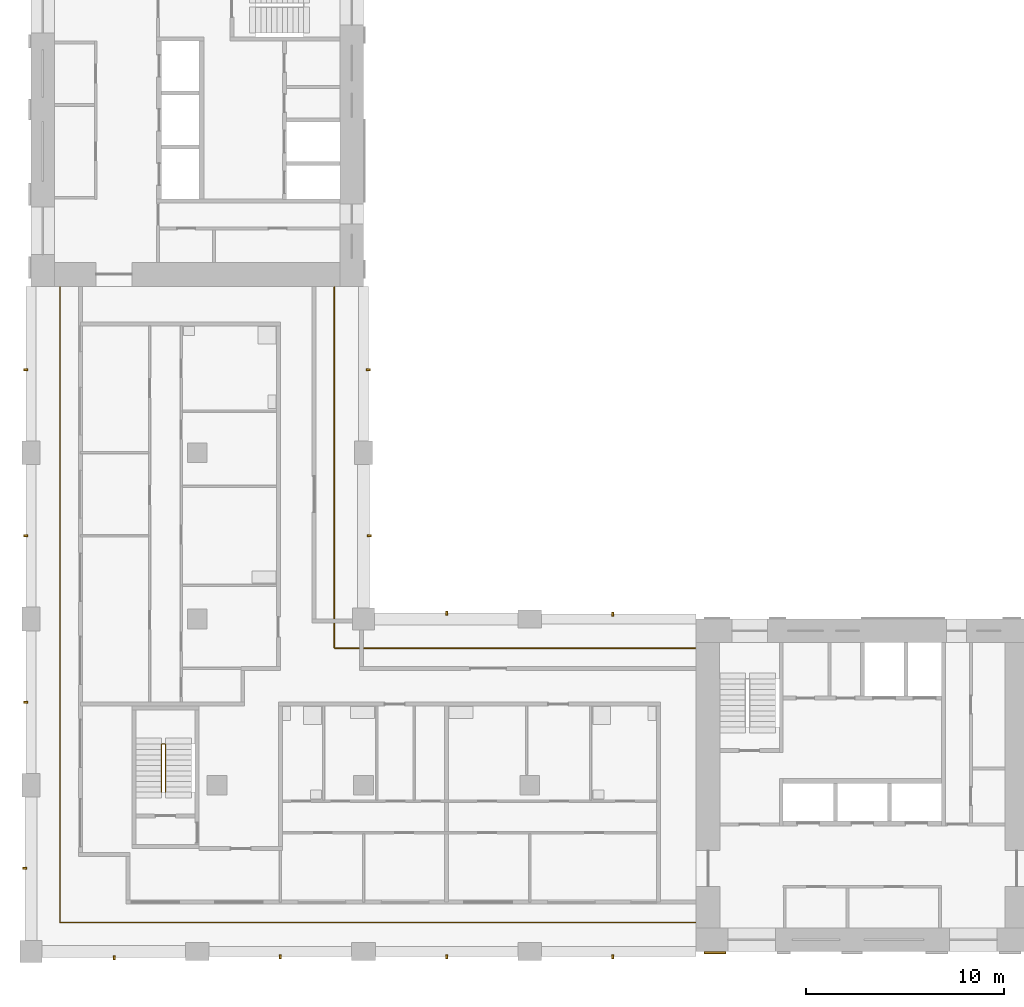
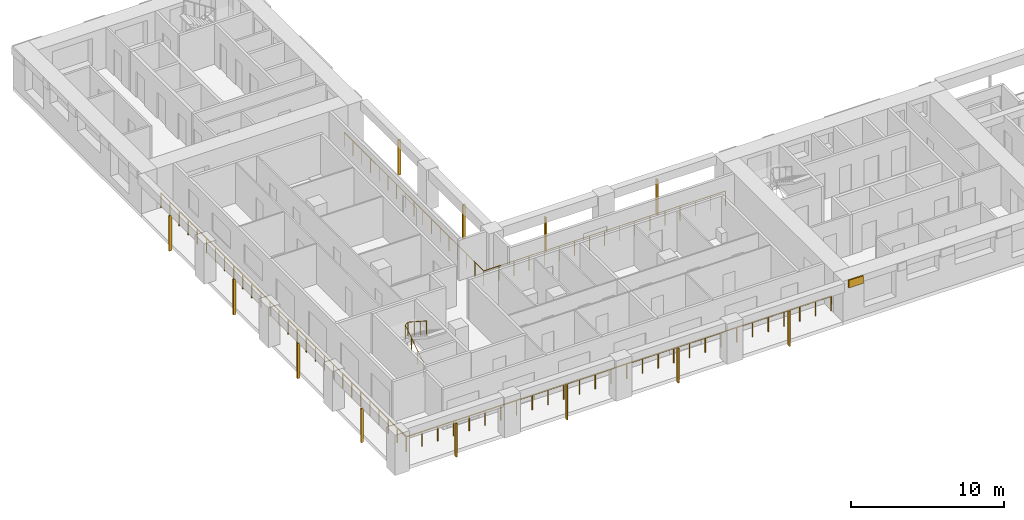
# One storey, part 8 of 11: 13 shading devices, 3 railings.
"""IFC4 building model written with IfcOpenShell, lengths in metres."""

import ifcopenshell
import ifcopenshell.guid

model = None  # the IFC model being written
_history = None  # IfcOwnerHistory: only IFC2X3 demands one
_inside = {}  # id of a spatial element -> (the spatial element, [elements in it])
_under = {}  # id of a project, library or spatial element -> (it, [spatial elements below it])
_declared = {}  # id of a project -> (the project, [libraries it declares])
_typed = {}  # id of a type object -> (the type object, [elements of that type])
_made_of = {}  # id of a material, layer set ... -> (it, [elements and type objects made of it])


def new_model(schema):
    """Start an empty IFC model of exactly this schema.

    Asked for "IFC4X3", IfcOpenShell would pick the latest addendum, in which some entities
    have other attributes; the version numbers below select the first issue.
    IFC2X3 requires an IfcOwnerHistory on every rooted entity: one is made here for all.
    """
    global model, _history
    if schema == "IFC4X3":
        model = ifcopenshell.file(schema_version=(4, 3, 0, 0))
    else:
        model = ifcopenshell.file(schema=schema)
    _inside.clear()
    _under.clear()
    _declared.clear()
    _typed.clear()
    _made_of.clear()
    _history = None
    if model.schema == "IFC2X3":
        org = make("IfcOrganization", Name="unknown")
        user = make(
            "IfcPersonAndOrganization",
            ThePerson=make("IfcPerson", FamilyName="unknown"),
            TheOrganization=org,
        )
        app = make(
            "IfcApplication",
            ApplicationDeveloper=org,
            Version="unknown",
            ApplicationFullName="unknown",
            ApplicationIdentifier="unknown",
        )
        _history = make(
            "IfcOwnerHistory",
            OwningUser=user,
            OwningApplication=app,
            ChangeAction="ADDED",
            CreationDate=0,
        )
    return model


def make(cls, **values):
    """One entity of the class cls with the attributes given. An attribute that is None is left unset."""
    return model.create_entity(
        cls, **{name: value for name, value in values.items() if value is not None}
    )


def rooted(cls, **values):
    """An entity with a GlobalId (a new one), such as an element, a storey or a relation."""
    return make(cls, GlobalId=ifcopenshell.guid.new(), OwnerHistory=_history, **values)


def si_unit(unit_type, name, prefix=None):
    """IfcSIUnit, for example si_unit("LENGTHUNIT", "METRE", prefix="MILLI")."""
    return make("IfcSIUnit", UnitType=unit_type, Prefix=prefix, Name=name)


def assignment(units):
    """IfcUnitAssignment: the units of a project."""
    return None if units is None else make("IfcUnitAssignment", Units=units)


def point(xyz):
    """IfcCartesianPoint."""
    return None if xyz is None else make("IfcCartesianPoint", Coordinates=xyz)


def direction(xyz):
    """IfcDirection."""
    return None if xyz is None else make("IfcDirection", DirectionRatios=xyz)


def frame(location, z_axis=None, x_axis=None):
    """IfcAxis2Placement3D, a coordinate frame: its origin and axes. An axis left out is left unset."""
    return make(
        "IfcAxis2Placement3D",
        Location=point(location),
        Axis=direction(z_axis),
        RefDirection=direction(x_axis),
    )


def frame_2d(location, x_axis=None):
    """IfcAxis2Placement2D, a coordinate frame in the plane: its origin and x axis."""
    return make(
        "IfcAxis2Placement2D", Location=point(location), RefDirection=direction(x_axis)
    )


def origin():
    """The frame at (0, 0, 0) with its axes left unset."""
    return frame((0.0, 0.0, 0.0))


def origin_2d():
    """The frame at (0, 0) in the plane with its x axis left unset."""
    return frame_2d((0.0, 0.0))


def place(relative_to, where):
    """IfcLocalPlacement: puts the frame where relative to a parent placement (None: the world)."""
    return make(
        "IfcLocalPlacement", PlacementRelTo=relative_to, RelativePlacement=where
    )


def context(
    kind, dimensions, precision=None, world=None, true_north=None, identifier=None
):
    """IfcGeometricRepresentationContext, for example the 3D "Model" context."""
    return make(
        "IfcGeometricRepresentationContext",
        ContextIdentifier=identifier,
        ContextType=kind,
        CoordinateSpaceDimension=dimensions,
        Precision=precision,
        WorldCoordinateSystem=world,
        TrueNorth=true_north,
    )


def subcontext(parent, identifier, kind, view, scale=None):
    """IfcGeometricRepresentationSubContext, for example "Body" below "Model"."""
    return make(
        "IfcGeometricRepresentationSubContext",
        ContextIdentifier=identifier,
        ContextType=kind,
        ParentContext=parent,
        TargetScale=scale,
        TargetView=view,
    )


def project(units=None, contexts=None):
    """IfcProject with its units and contexts."""
    return rooted(
        "IfcProject",
        Name="project",
        RepresentationContexts=contexts,
        UnitsInContext=assignment(units),
    )


def spatial(cls, under=None, at=None, **own):
    """A site, building, storey or space (cls), placed at a placement, below another one or the project."""
    s = rooted(cls, ObjectPlacement=at, **own)
    if under is not None:
        _under.setdefault(under.id(), (under, []))[1].append(s)
    return s


def profile(cls, at=None, kind="AREA", **sizes):
    """A parametric profile (cls). Its sizes go by their IFC names, for example OverallWidth=200.0."""
    return make(cls, ProfileType=kind, Position=at, **sizes)


def rectangle(**sizes):
    """IfcRectangleProfileDef."""
    return profile("IfcRectangleProfileDef", **sizes)


def circle(**sizes):
    """IfcCircleProfileDef."""
    return profile("IfcCircleProfileDef", **sizes)


def extrude(swept, where, along, depth):
    """IfcExtrudedAreaSolid: the profile swept, set in the frame where, extruded along a direction by depth."""
    return make(
        "IfcExtrudedAreaSolid",
        SweptArea=swept,
        Position=where,
        ExtrudedDirection=direction(along),
        Depth=depth,
    )


def shape(context_of_items, identifier, shape_type, items):
    """IfcShapeRepresentation: the items that make up one representation, for example the "Body"."""
    return make(
        "IfcShapeRepresentation",
        ContextOfItems=context_of_items,
        RepresentationIdentifier=identifier,
        RepresentationType=shape_type,
        Items=items,
    )


def material(Name=None, Category=None):
    """IfcMaterial."""
    return make("IfcMaterial", Name=Name, Category=Category)


def layer(
    of_material, thickness, ventilated=None, Name=None, Category=None, Priority=None
):
    """IfcMaterialLayer: one layer of a wall or slab, of a material (None: an air gap)."""
    return make(
        "IfcMaterialLayer",
        Material=of_material,
        LayerThickness=thickness,
        IsVentilated=ventilated,
        Name=Name,
        Category=Category,
        Priority=Priority,
    )


def layer_set(layers, Name=None):
    """IfcMaterialLayerSet."""
    return make("IfcMaterialLayerSet", MaterialLayers=layers, LayerSetName=Name)


def material_profile(
    of_material, cross_section, Name=None, Category=None, Priority=None
):
    """IfcMaterialProfile: a cross section and its material."""
    return make(
        "IfcMaterialProfile",
        Name=Name,
        Material=of_material,
        Profile=cross_section,
        Priority=Priority,
        Category=Category,
    )


def profile_set(profiles, Name=None, composite=None):
    """IfcMaterialProfileSet."""
    return make(
        "IfcMaterialProfileSet",
        Name=Name,
        MaterialProfiles=profiles,
        CompositeProfile=composite,
    )


def made_of(thing, what):
    """Note that an element or type object is made of a material, layer set ...; save() writes the relation."""
    if what is not None:
        _made_of.setdefault(what.id(), (what, []))[1].append(thing)
    return thing


def type_object(cls, material=None, **own):
    """A type object (cls), such as IfcWallType, which elements share."""
    return made_of(rooted(cls, **own), material)


def element(
    cls,
    number,
    at=None,
    inside=None,
    cuts=None,
    type_object=None,
    material=None,
    context=None,
    identifier="Body",
    shape_type=None,
    held_by="IfcProductDefinitionShape",
    body=None,
    shapes=None,
    **own,
):
    """One element of the class cls, such as IfcWall. Its Tag is "e" and its number.

    at: its placement. inside: the storey or other place that contains it. cuts: it is an
    opening in that element (IfcRelVoidsElement). A single representation is given by context,
    identifier, shape_type and body (its items); several are given by shapes. held_by: the class
    of the entity that holds the representations. save() writes the other relations.
    """
    e = rooted(cls, Tag="e%d" % number, ObjectPlacement=at, **own)
    if body is not None:
        shapes = [shape(context, identifier, shape_type, body)]
    if shapes is not None:
        e.Representation = make(held_by, Representations=shapes)
    if inside is not None:
        _inside.setdefault(inside.id(), (inside, []))[1].append(e)
    if cuts is not None:
        rooted(
            "IfcRelVoidsElement", RelatingBuildingElement=cuts, RelatedOpeningElement=e
        )
    if type_object is not None:
        _typed.setdefault(type_object.id(), (type_object, []))[1].append(e)
    return made_of(e, material)


def aggregate(whole, parts):
    """IfcRelAggregates: a whole, such as a stair, and the parts it consists of."""
    return rooted("IfcRelAggregates", RelatingObject=whole, RelatedObjects=parts)


def save(model, path):
    """Write the relations noted so far, then the file.

    IfcRelAggregates (storeys below a building ...), IfcRelContainedInSpatialStructure (elements
    in a storey), IfcRelDefinesByType, IfcRelAssociatesMaterial and IfcRelDeclares: one each for
    every whole, place, type object, material and project.
    """
    for whole, parts in _under.values():
        aggregate(whole, parts)
    for where, things in _inside.values():
        rooted(
            "IfcRelContainedInSpatialStructure",
            RelatedElements=things,
            RelatingStructure=where,
        )
    for kind, things in _typed.values():
        rooted("IfcRelDefinesByType", RelatedObjects=things, RelatingType=kind)
    for what, things in _made_of.values():
        rooted("IfcRelAssociatesMaterial", RelatedObjects=things, RelatingMaterial=what)
    for by, libraries in _declared.values():
        rooted("IfcRelDeclares", RelatingContext=by, RelatedDefinitions=libraries)
    model.write(path)


model = new_model("IFC4")

# Units and contexts
model_context = context("Model", 3, precision=1e-05, world=origin(), true_north=direction((0.0, 1.0)))
body_context = subcontext(model_context, "Body", "Model", "MODEL_VIEW")
ifc_project = project(units=[si_unit("LENGTHUNIT", "METRE"), si_unit("AREAUNIT", "SQUARE_METRE"), si_unit("VOLUMEUNIT", "CUBIC_METRE"), si_unit("PLANEANGLEUNIT", "RADIAN"), si_unit("MASSUNIT", "GRAM", prefix="KILO")], contexts=[model_context])

# Site, building, storey
site_placement = place(None, origin())
site = spatial("IfcSite", under=ifc_project, at=site_placement, CompositionType="ELEMENT")
building_placement = place(site_placement, origin())
building = spatial("IfcBuilding", under=site, at=building_placement, Name="Vermilion Gate Residences", CompositionType="ELEMENT")
storey_placement = place(building_placement, frame((0.0, 0.0, 200.199951171875)))
storey = spatial("IfcBuildingStorey", under=building, at=storey_placement, Name="L52", CompositionType="ELEMENT", Elevation=200.199951171875)

# Railings
ifc_material_1 = material(Name="Stainless steel and toughened glass", Category="steel")
railing_type_1 = type_object("IfcRailingType", Name="LOGGIA GUARD STEEL AND GLASS 1200", PredefinedType="GUARDRAIL", material=ifc_material_1)
railing_1_placement = place(storey_placement, frame((41.97802734375, 23.72509765625, 0.0)))
element("IfcRailing", 1, at=railing_1_placement, inside=storey, type_object=railing_type_1, Name="Loggia guard", PredefinedType="GUARDRAIL", context=body_context, shape_type="SweptSolid", body=[
    extrude(circle(Radius=0.030029296875, at=origin_2d()), frame((0.0, 0.0, 1.169921875), z_axis=(-1.0, 0.0, 0.0), x_axis=(0.0, -1.0, 0.0)), (0.0, 0.0, 1.0), 18.2529296875),
    extrude(circle(Radius=0.030029296875, at=origin_2d()), frame((-18.2529296875, 0.0, 1.169921875), z_axis=(0.0, 1.0, 0.0), x_axis=(-1.0, 0.0, 0.0)), (0.0, 0.0, 1.0), 18.2529296875),
    extrude(circle(Radius=0.02490234375, at=origin_2d()), origin(), (0.0, 0.0, 1.0), 1.139892578125),
    extrude(circle(Radius=0.02490234375, at=origin_2d()), frame((-1.140869140625, 0.0, 0.0)), (0.0, 0.0, 1.0), 1.139892578125),
    extrude(circle(Radius=0.02490234375, at=origin_2d()), frame((-2.28173828125, 0.0, 0.0)), (0.0, 0.0, 1.0), 1.139892578125),
    extrude(circle(Radius=0.02490234375, at=origin_2d()), frame((-3.42236328125, 0.0, 0.0)), (0.0, 0.0, 1.0), 1.139892578125),
    extrude(circle(Radius=0.02490234375, at=origin_2d()), frame((-4.563232421875, 0.0, 0.0)), (0.0, 0.0, 1.0), 1.139892578125),
    extrude(circle(Radius=0.02490234375, at=origin_2d()), frame((-5.7041015625, 0.0, 0.0)), (0.0, 0.0, 1.0), 1.139892578125),
    extrude(circle(Radius=0.02490234375, at=origin_2d()), frame((-6.8447265625, 0.0, 0.0)), (0.0, 0.0, 1.0), 1.139892578125),
    extrude(circle(Radius=0.02490234375, at=origin_2d()), frame((-7.985595703125, 0.0, 0.0)), (0.0, 0.0, 1.0), 1.139892578125),
    extrude(circle(Radius=0.02490234375, at=origin_2d()), frame((-9.12646484375, 0.0, 0.0)), (0.0, 0.0, 1.0), 1.139892578125),
    extrude(circle(Radius=0.02490234375, at=origin_2d()), frame((-10.267333984375, 0.0, 0.0)), (0.0, 0.0, 1.0), 1.139892578125),
    extrude(circle(Radius=0.02490234375, at=origin_2d()), frame((-11.408203125, 0.0, 0.0)), (0.0, 0.0, 1.0), 1.139892578125),
    extrude(circle(Radius=0.02490234375, at=origin_2d()), frame((-12.548828125, 0.0, 0.0)), (0.0, 0.0, 1.0), 1.139892578125),
    extrude(circle(Radius=0.02490234375, at=origin_2d()), frame((-13.689697265625, 0.0, 0.0)), (0.0, 0.0, 1.0), 1.139892578125),
    extrude(circle(Radius=0.02490234375, at=origin_2d()), frame((-14.83056640625, 0.0, 0.0)), (0.0, 0.0, 1.0), 1.139892578125),
    extrude(circle(Radius=0.02490234375, at=origin_2d()), frame((-15.97119140625, 0.0, 0.0)), (0.0, 0.0, 1.0), 1.139892578125),
    extrude(circle(Radius=0.02490234375, at=origin_2d()), frame((-17.112060546875, 0.0, 0.0)), (0.0, 0.0, 1.0), 1.139892578125),
    extrude(circle(Radius=0.02490234375, at=origin_2d()), frame((-18.2529296875, 0.0, 0.0)), (0.0, 0.0, 1.0), 1.139892578125),
    extrude(circle(Radius=0.02490234375, at=origin_2d()), frame((-18.2529296875, 1.140869140625, 0.0)), (0.0, 0.0, 1.0), 1.139892578125),
    extrude(circle(Radius=0.02490234375, at=origin_2d()), frame((-18.2529296875, 2.28173828125, 0.0)), (0.0, 0.0, 1.0), 1.139892578125),
    extrude(circle(Radius=0.02490234375, at=origin_2d()), frame((-18.2529296875, 3.42236328125, 0.0)), (0.0, 0.0, 1.0), 1.139892578125),
    extrude(circle(Radius=0.02490234375, at=origin_2d()), frame((-18.2529296875, 4.563232421875, 0.0)), (0.0, 0.0, 1.0), 1.139892578125),
    extrude(circle(Radius=0.02490234375, at=origin_2d()), frame((-18.2529296875, 5.7041015625, 0.0)), (0.0, 0.0, 1.0), 1.139892578125),
    extrude(circle(Radius=0.02490234375, at=origin_2d()), frame((-18.2529296875, 6.8447265625, 0.0)), (0.0, 0.0, 1.0), 1.139892578125),
    extrude(circle(Radius=0.02490234375, at=origin_2d()), frame((-18.2529296875, 7.985595703125, 0.0)), (0.0, 0.0, 1.0), 1.139892578125),
    extrude(circle(Radius=0.02490234375, at=origin_2d()), frame((-18.2529296875, 9.12646484375, 0.0)), (0.0, 0.0, 1.0), 1.139892578125),
    extrude(circle(Radius=0.02490234375, at=origin_2d()), frame((-18.2529296875, 10.267333984375, 0.0)), (0.0, 0.0, 1.0), 1.139892578125),
    extrude(circle(Radius=0.02490234375, at=origin_2d()), frame((-18.2529296875, 11.408203125, 0.0)), (0.0, 0.0, 1.0), 1.139892578125),
    extrude(circle(Radius=0.02490234375, at=origin_2d()), frame((-18.2529296875, 12.548828125, 0.0)), (0.0, 0.0, 1.0), 1.139892578125),
    extrude(circle(Radius=0.02490234375, at=origin_2d()), frame((-18.2529296875, 13.689697265625, 0.0)), (0.0, 0.0, 1.0), 1.139892578125),
    extrude(circle(Radius=0.02490234375, at=origin_2d()), frame((-18.2529296875, 14.83056640625, 0.0)), (0.0, 0.0, 1.0), 1.139892578125),
    extrude(circle(Radius=0.02490234375, at=origin_2d()), frame((-18.2529296875, 15.97119140625, 0.0)), (0.0, 0.0, 1.0), 1.139892578125),
    extrude(circle(Radius=0.02490234375, at=origin_2d()), frame((-18.2529296875, 17.112060546875, 0.0)), (0.0, 0.0, 1.0), 1.139892578125),
    extrude(circle(Radius=0.02490234375, at=origin_2d()), frame((-18.2529296875, 18.2529296875, 0.0)), (0.0, 0.0, 1.0), 1.139892578125),
])
railing_2_placement = place(storey_placement, frame((9.875, 41.97802734375, 0.0)))
element("IfcRailing", 2, at=railing_2_placement, inside=storey, type_object=railing_type_1, Name="Loggia guard", PredefinedType="GUARDRAIL", context=body_context, shape_type="SweptSolid", body=[
    extrude(circle(Radius=0.030029296875, at=origin_2d()), frame((0.0, 0.0, 1.169921875), z_axis=(0.0, -1.0, 0.0), x_axis=(1.0, 0.0, 0.0)), (0.0, 0.0, 1.0), 32.10302734375),
    extrude(circle(Radius=0.030029296875, at=origin_2d()), frame((0.0, -32.10302734375, 1.169921875), z_axis=(1.0, 0.0, 0.0), x_axis=(0.0, 1.0, 0.0)), (0.0, 0.0, 1.0), 32.10302734375),
    extrude(circle(Radius=0.02490234375, at=origin_2d()), origin(), (0.0, 0.0, 1.0), 1.139892578125),
    extrude(circle(Radius=0.02490234375, at=origin_2d()), frame((0.0, -1.18896484375, 0.0)), (0.0, 0.0, 1.0), 1.139892578125),
    extrude(circle(Radius=0.02490234375, at=origin_2d()), frame((0.0, -2.3779296875, 0.0)), (0.0, 0.0, 1.0), 1.139892578125),
    extrude(circle(Radius=0.02490234375, at=origin_2d()), frame((0.0, -3.56689453125, 0.0)), (0.0, 0.0, 1.0), 1.139892578125),
    extrude(circle(Radius=0.02490234375, at=origin_2d()), frame((0.0, -4.756103515625, 0.0)), (0.0, 0.0, 1.0), 1.139892578125),
    extrude(circle(Radius=0.02490234375, at=origin_2d()), frame((0.0, -5.945068359375, 0.0)), (0.0, 0.0, 1.0), 1.139892578125),
    extrude(circle(Radius=0.02490234375, at=origin_2d()), frame((0.0, -7.134033203125, 0.0)), (0.0, 0.0, 1.0), 1.139892578125),
    extrude(circle(Radius=0.02490234375, at=origin_2d()), frame((0.0, -8.322998046875, 0.0)), (0.0, 0.0, 1.0), 1.139892578125),
    extrude(circle(Radius=0.02490234375, at=origin_2d()), frame((0.0, -9.511962890625, 0.0)), (0.0, 0.0, 1.0), 1.139892578125),
    extrude(circle(Radius=0.02490234375, at=origin_2d()), frame((0.0, -10.700927734375, 0.0)), (0.0, 0.0, 1.0), 1.139892578125),
    extrude(circle(Radius=0.02490234375, at=origin_2d()), frame((0.0, -11.889892578125, 0.0)), (0.0, 0.0, 1.0), 1.139892578125),
    extrude(circle(Radius=0.02490234375, at=origin_2d()), frame((0.0, -13.0791015625, 0.0)), (0.0, 0.0, 1.0), 1.139892578125),
    extrude(circle(Radius=0.02490234375, at=origin_2d()), frame((0.0, -14.26806640625, 0.0)), (0.0, 0.0, 1.0), 1.139892578125),
    extrude(circle(Radius=0.02490234375, at=origin_2d()), frame((0.0, -15.45703125, 0.0)), (0.0, 0.0, 1.0), 1.139892578125),
    extrude(circle(Radius=0.02490234375, at=origin_2d()), frame((0.0, -16.64599609375, 0.0)), (0.0, 0.0, 1.0), 1.139892578125),
    extrude(circle(Radius=0.02490234375, at=origin_2d()), frame((0.0, -17.8349609375, 0.0)), (0.0, 0.0, 1.0), 1.139892578125),
    extrude(circle(Radius=0.02490234375, at=origin_2d()), frame((0.0, -19.02392578125, 0.0)), (0.0, 0.0, 1.0), 1.139892578125),
    extrude(circle(Radius=0.02490234375, at=origin_2d()), frame((0.0, -20.213134765625, 0.0)), (0.0, 0.0, 1.0), 1.139892578125),
    extrude(circle(Radius=0.02490234375, at=origin_2d()), frame((0.0, -21.402099609375, 0.0)), (0.0, 0.0, 1.0), 1.139892578125),
    extrude(circle(Radius=0.02490234375, at=origin_2d()), frame((0.0, -22.591064453125, 0.0)), (0.0, 0.0, 1.0), 1.139892578125),
    extrude(circle(Radius=0.02490234375, at=origin_2d()), frame((0.0, -23.780029296875, 0.0)), (0.0, 0.0, 1.0), 1.139892578125),
    extrude(circle(Radius=0.02490234375, at=origin_2d()), frame((0.0, -24.968994140625, 0.0)), (0.0, 0.0, 1.0), 1.139892578125),
    extrude(circle(Radius=0.02490234375, at=origin_2d()), frame((0.0, -26.157958984375, 0.0)), (0.0, 0.0, 1.0), 1.139892578125),
    extrude(circle(Radius=0.02490234375, at=origin_2d()), frame((0.0, -27.346923828125, 0.0)), (0.0, 0.0, 1.0), 1.139892578125),
    extrude(circle(Radius=0.02490234375, at=origin_2d()), frame((0.0, -28.5361328125, 0.0)), (0.0, 0.0, 1.0), 1.139892578125),
    extrude(circle(Radius=0.02490234375, at=origin_2d()), frame((0.0, -29.72509765625, 0.0)), (0.0, 0.0, 1.0), 1.139892578125),
    extrude(circle(Radius=0.02490234375, at=origin_2d()), frame((0.0, -30.9140625, 0.0)), (0.0, 0.0, 1.0), 1.139892578125),
    extrude(circle(Radius=0.02490234375, at=origin_2d()), frame((0.0, -32.10302734375, 0.0)), (0.0, 0.0, 1.0), 1.139892578125),
    extrude(circle(Radius=0.02490234375, at=origin_2d()), frame((1.18896484375, -32.10302734375, 0.0)), (0.0, 0.0, 1.0), 1.139892578125),
    extrude(circle(Radius=0.02490234375, at=origin_2d()), frame((2.3779296875, -32.10302734375, 0.0)), (0.0, 0.0, 1.0), 1.139892578125),
    extrude(circle(Radius=0.02490234375, at=origin_2d()), frame((3.56689453125, -32.10302734375, 0.0)), (0.0, 0.0, 1.0), 1.139892578125),
    extrude(circle(Radius=0.02490234375, at=origin_2d()), frame((4.756103515625, -32.10302734375, 0.0)), (0.0, 0.0, 1.0), 1.139892578125),
    extrude(circle(Radius=0.02490234375, at=origin_2d()), frame((5.945068359375, -32.10302734375, 0.0)), (0.0, 0.0, 1.0), 1.139892578125),
    extrude(circle(Radius=0.02490234375, at=origin_2d()), frame((7.134033203125, -32.10302734375, 0.0)), (0.0, 0.0, 1.0), 1.139892578125),
    extrude(circle(Radius=0.02490234375, at=origin_2d()), frame((8.322998046875, -32.10302734375, 0.0)), (0.0, 0.0, 1.0), 1.139892578125),
    extrude(circle(Radius=0.02490234375, at=origin_2d()), frame((9.511962890625, -32.10302734375, 0.0)), (0.0, 0.0, 1.0), 1.139892578125),
    extrude(circle(Radius=0.02490234375, at=origin_2d()), frame((10.700927734375, -32.10302734375, 0.0)), (0.0, 0.0, 1.0), 1.139892578125),
    extrude(circle(Radius=0.02490234375, at=origin_2d()), frame((11.889892578125, -32.10302734375, 0.0)), (0.0, 0.0, 1.0), 1.139892578125),
    extrude(circle(Radius=0.02490234375, at=origin_2d()), frame((13.0791015625, -32.10302734375, 0.0)), (0.0, 0.0, 1.0), 1.139892578125),
    extrude(circle(Radius=0.02490234375, at=origin_2d()), frame((14.26806640625, -32.10302734375, 0.0)), (0.0, 0.0, 1.0), 1.139892578125),
    extrude(circle(Radius=0.02490234375, at=origin_2d()), frame((15.45703125, -32.10302734375, 0.0)), (0.0, 0.0, 1.0), 1.139892578125),
    extrude(circle(Radius=0.02490234375, at=origin_2d()), frame((16.64599609375, -32.10302734375, 0.0)), (0.0, 0.0, 1.0), 1.139892578125),
    extrude(circle(Radius=0.02490234375, at=origin_2d()), frame((17.8349609375, -32.10302734375, 0.0)), (0.0, 0.0, 1.0), 1.139892578125),
    extrude(circle(Radius=0.02490234375, at=origin_2d()), frame((19.02392578125, -32.10302734375, 0.0)), (0.0, 0.0, 1.0), 1.139892578125),
    extrude(circle(Radius=0.02490234375, at=origin_2d()), frame((20.213134765625, -32.10302734375, 0.0)), (0.0, 0.0, 1.0), 1.139892578125),
    extrude(circle(Radius=0.02490234375, at=origin_2d()), frame((21.402099609375, -32.10302734375, 0.0)), (0.0, 0.0, 1.0), 1.139892578125),
    extrude(circle(Radius=0.02490234375, at=origin_2d()), frame((22.591064453125, -32.10302734375, 0.0)), (0.0, 0.0, 1.0), 1.139892578125),
    extrude(circle(Radius=0.02490234375, at=origin_2d()), frame((23.780029296875, -32.10302734375, 0.0)), (0.0, 0.0, 1.0), 1.139892578125),
    extrude(circle(Radius=0.02490234375, at=origin_2d()), frame((24.968994140625, -32.10302734375, 0.0)), (0.0, 0.0, 1.0), 1.139892578125),
    extrude(circle(Radius=0.02490234375, at=origin_2d()), frame((26.157958984375, -32.10302734375, 0.0)), (0.0, 0.0, 1.0), 1.139892578125),
    extrude(circle(Radius=0.02490234375, at=origin_2d()), frame((27.346923828125, -32.10302734375, 0.0)), (0.0, 0.0, 1.0), 1.139892578125),
    extrude(circle(Radius=0.02490234375, at=origin_2d()), frame((28.5361328125, -32.10302734375, 0.0)), (0.0, 0.0, 1.0), 1.139892578125),
    extrude(circle(Radius=0.02490234375, at=origin_2d()), frame((29.72509765625, -32.10302734375, 0.0)), (0.0, 0.0, 1.0), 1.139892578125),
    extrude(circle(Radius=0.02490234375, at=origin_2d()), frame((30.9140625, -32.10302734375, 0.0)), (0.0, 0.0, 1.0), 1.139892578125),
    extrude(circle(Radius=0.02490234375, at=origin_2d()), frame((32.10302734375, -32.10302734375, 0.0)), (0.0, 0.0, 1.0), 1.139892578125),
])
ifc_material_2 = material(Name="Steel S355", Category="steel")
railing_type_2 = type_object("IfcRailingType", Name="STAIR GUARD 1100 STEEL", PredefinedType="GUARDRAIL", material=ifc_material_2)
railing_3_placement = place(storey_placement, frame((15.0, 16.449951171875, 0.175048828125)))
element("IfcRailing", 3, at=railing_3_placement, inside=storey, type_object=railing_type_2, Name="Stair well guard STC1-52", PredefinedType="GUARDRAIL", context=body_context, shape_type="SweptSolid", body=[
    extrude(circle(Radius=0.02392578125, at=origin_2d()), frame((0.0, 0.0, 1.076171875), z_axis=(0.0, 0.839153699163, 0.543894354798), x_axis=(-1.0, 0.0, 0.0)), (0.0, 0.0, 1.0), 2.895751953125),
    extrude(circle(Radius=0.02392578125, at=origin_2d()), frame((0.0, 2.429931640625, 2.65087890625), z_axis=(0.752405939678, 0.0, 0.658699705433), x_axis=(0.0, 1.0, 0.0)), (0.0, 0.0, 1.0), 0.265869140625),
    extrude(circle(Radius=0.02392578125, at=origin_2d()), frame((0.199951171875, 2.429931640625, 2.826171875), z_axis=(0.0, -0.839153699163, 0.543894354798), x_axis=(1.0, 0.0, 0.0)), (0.0, 0.0, 1.0), 2.895751953125),
    extrude(circle(Radius=0.02099609375, at=origin_2d()), origin(), (0.0, 0.0, 1.0), 1.052001953125),
    extrude(circle(Radius=0.02099609375, at=origin_2d()), frame((0.0, 0.81005859375, 0.52490234375)), (0.0, 0.0, 1.0), 1.052001953125),
    extrude(circle(Radius=0.02099609375, at=origin_2d()), frame((0.0, 1.619873046875, 1.050048828125)), (0.0, 0.0, 1.0), 1.052001953125),
    extrude(circle(Radius=0.02099609375, at=origin_2d()), frame((0.0, 2.429931640625, 1.574951171875)), (0.0, 0.0, 1.0), 1.052001953125),
    extrude(circle(Radius=0.02099609375, at=origin_2d()), frame((0.199951171875, 2.429931640625, 1.75)), (0.0, 0.0, 1.0), 1.052001953125),
    extrude(circle(Radius=0.02099609375, at=origin_2d()), frame((0.199951171875, 1.619873046875, 2.27490234375)), (0.0, 0.0, 1.0), 1.052001953125),
    extrude(circle(Radius=0.02099609375, at=origin_2d()), frame((0.199951171875, 0.81005859375, 2.800048828125)), (0.0, 0.0, 1.0), 1.052001953125),
    extrude(circle(Radius=0.02099609375, at=origin_2d()), frame((0.199951171875, 0.0, 3.324951171875)), (0.0, 0.0, 1.0), 1.052001953125),
])

# Shading devices
ifc_material_3 = material(Name="Extruded terracotta", Category="masonry")
ifc_material_profile = material_profile(ifc_material_3, rectangle(XDim=0.199951171875, YDim=0.10009765625, at=origin_2d()), Name="BAGUETTE 100 X 200")
ifc_profile_set = profile_set([ifc_material_profile], Name="Extruded terracotta")
shading_device_type_1 = type_object("IfcShadingDeviceType", Name="TERRACOTTA BAGUETTE 100 X 200", PredefinedType="JALOUSIE", material=ifc_profile_set)
shading_device_1_placement = place(storey_placement, frame((12.60009765625, 8.10009765625, -0.280029296875), z_axis=(0.0, 0.0, 1.0), x_axis=(0.0, 1.0, 0.0)))
element("IfcShadingDevice", 4, at=shading_device_1_placement, inside=storey, type_object=shading_device_type_1, Name="BAGUETTE", PredefinedType="JALOUSIE", context=body_context, shape_type="SweptSolid", body=[
    extrude(rectangle(XDim=0.199951171875, YDim=0.10009765625, at=origin_2d()), origin(), (0.0, 0.0, 1.0), 2.7001953125),
])
for number, where, z_axis, x_axis, name in (
    (5, (21.0, 8.14990234375, -0.280029296875), (0.0, 0.0, 1.0), (0.0, 1.0, 0.0), "BAGUETTE"),
    (6, (29.39990234375, 8.14990234375, -0.280029296875), (0.0, 0.0, 1.0), (0.0, 1.0, 0.0), "BAGUETTE"),
    (7, (37.800048828125, 8.14990234375, -0.280029296875), (0.0, 0.0, 1.0), (0.0, 1.0, 0.0), "BAGUETTE"),
):
    element("IfcShadingDevice", number, at=place(storey_placement, frame(where, z_axis=z_axis, x_axis=x_axis)), inside=storey, type_object=shading_device_type_1, Name=name, PredefinedType="JALOUSIE", context=body_context, shape_type="SweptSolid", body=[
        extrude(rectangle(XDim=0.199951171875, YDim=0.10009765625, at=origin_2d()), origin(), (0.0, 0.0, 1.0), 2.800048828125),
    ])
shading_device_2_placement = place(storey_placement, frame((29.39990234375, 25.5, -0.280029296875), z_axis=(0.0, 0.0, 1.0), x_axis=(0.0, -1.0, 0.0)))
element("IfcShadingDevice", 8, at=shading_device_2_placement, inside=storey, type_object=shading_device_type_1, Name="BAGUETTE", PredefinedType="JALOUSIE", context=body_context, shape_type="SweptSolid", body=[
    extrude(rectangle(XDim=0.199951171875, YDim=0.10009765625, at=origin_2d()), origin(), (0.0, 0.0, 1.0), 2.7001953125),
])
shading_device_3_placement = place(storey_placement, frame((37.800048828125, 25.449951171875, -0.280029296875), z_axis=(0.0, 0.0, 1.0), x_axis=(0.0, -1.0, 0.0)))
element("IfcShadingDevice", 9, at=shading_device_3_placement, inside=storey, type_object=shading_device_type_1, Name="BAGUETTE", PredefinedType="JALOUSIE", context=body_context, shape_type="SweptSolid", body=[
    extrude(rectangle(XDim=0.199951171875, YDim=0.10009765625, at=origin_2d()), origin(), (0.0, 0.0, 1.0), 2.800048828125),
])
shading_device_4_placement = place(storey_placement, frame((25.5, 29.39990234375, -0.280029296875), z_axis=(0.0, 0.0, 1.0), x_axis=(-1.0, 0.0, 0.0)))
element("IfcShadingDevice", 10, at=shading_device_4_placement, inside=storey, type_object=shading_device_type_1, Name="BAGUETTE", PredefinedType="JALOUSIE", context=body_context, shape_type="SweptSolid", body=[
    extrude(rectangle(XDim=0.199951171875, YDim=0.10009765625, at=origin_2d()), origin(), (0.0, 0.0, 1.0), 2.7001953125),
])
shading_device_5_placement = place(storey_placement, frame((25.449951171875, 37.800048828125, -0.280029296875), z_axis=(0.0, 0.0, 1.0), x_axis=(-1.0, 0.0, 0.0)))
element("IfcShadingDevice", 11, at=shading_device_5_placement, inside=storey, type_object=shading_device_type_1, Name="BAGUETTE", PredefinedType="JALOUSIE", context=body_context, shape_type="SweptSolid", body=[
    extrude(rectangle(XDim=0.199951171875, YDim=0.10009765625, at=origin_2d()), origin(), (0.0, 0.0, 1.0), 2.800048828125),
])
shading_device_6_placement = place(storey_placement, frame((8.10009765625, 12.60009765625, -0.280029296875), z_axis=(0.0, 0.0, 1.0), x_axis=(1.0, 0.0, 0.0)))
element("IfcShadingDevice", 12, at=shading_device_6_placement, inside=storey, type_object=shading_device_type_1, Name="BAGUETTE", PredefinedType="JALOUSIE", context=body_context, shape_type="SweptSolid", body=[
    extrude(rectangle(XDim=0.199951171875, YDim=0.10009765625, at=origin_2d()), origin(), (0.0, 0.0, 1.0), 2.7001953125),
])
for number, where, z_axis, x_axis, name in (
    (13, (8.14990234375, 21.0, -0.280029296875), (0.0, 0.0, 1.0), (1.0, 0.0, 0.0), "BAGUETTE"),
    (14, (8.14990234375, 29.39990234375, -0.280029296875), (0.0, 0.0, 1.0), (1.0, 0.0, 0.0), "BAGUETTE"),
    (15, (8.14990234375, 37.800048828125, -0.280029296875), (0.0, 0.0, 1.0), (1.0, 0.0, 0.0), "BAGUETTE"),
):
    element("IfcShadingDevice", number, at=place(storey_placement, frame(where, z_axis=z_axis, x_axis=x_axis)), inside=storey, type_object=shading_device_type_1, Name=name, PredefinedType="JALOUSIE", context=body_context, shape_type="SweptSolid", body=[
        extrude(rectangle(XDim=0.199951171875, YDim=0.10009765625, at=origin_2d()), origin(), (0.0, 0.0, 1.0), 2.800048828125),
    ])
ifc_material_4 = material(Name="Extruded terracotta", Category="masonry")
ifc_layer = layer(ifc_material_4, 0.10009765625)
ifc_layer_set = layer_set([ifc_layer], Name="TERRACOTTA SPANDREL BAND 600 X 100")
shading_device_type_2 = type_object("IfcShadingDeviceType", Name="TERRACOTTA SPANDREL BAND 600 X 100", PredefinedType="USERDEFINED", material=ifc_layer_set)
shading_device_7_placement = place(storey_placement, frame((42.949951171875, 8.35009765625, 2.6201171875), z_axis=(0.0, 0.0, 1.0), x_axis=(1.0, 0.0, 0.0)))
element("IfcShadingDevice", 16, at=shading_device_7_placement, inside=storey, type_object=shading_device_type_2, Name="SPANDREL BAND", ObjectType="BAND", PredefinedType="USERDEFINED", context=body_context, shape_type="SweptSolid", body=[
    extrude(rectangle(XDim=1.10009765625, YDim=0.10009765625, at=origin_2d()), origin(), (0.0, 0.0, 1.0), 0.60009765625),
])

save(model, "model.ifc")
